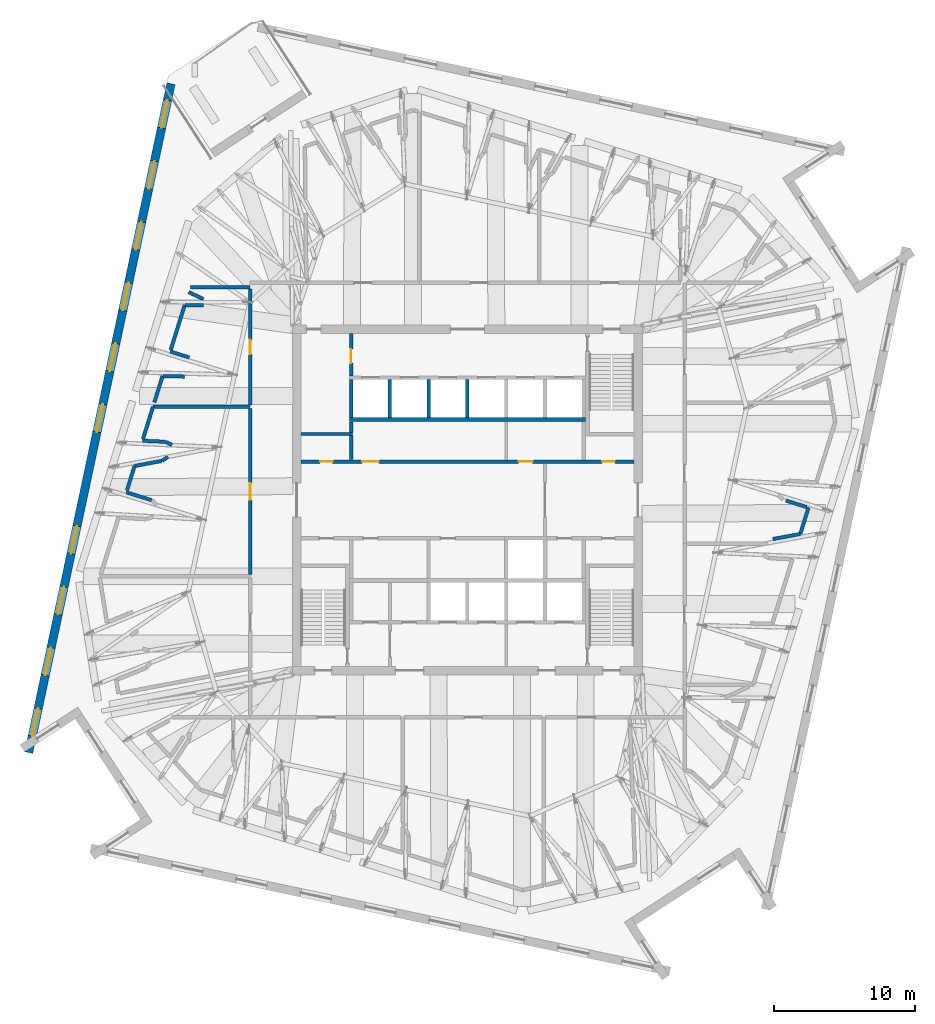
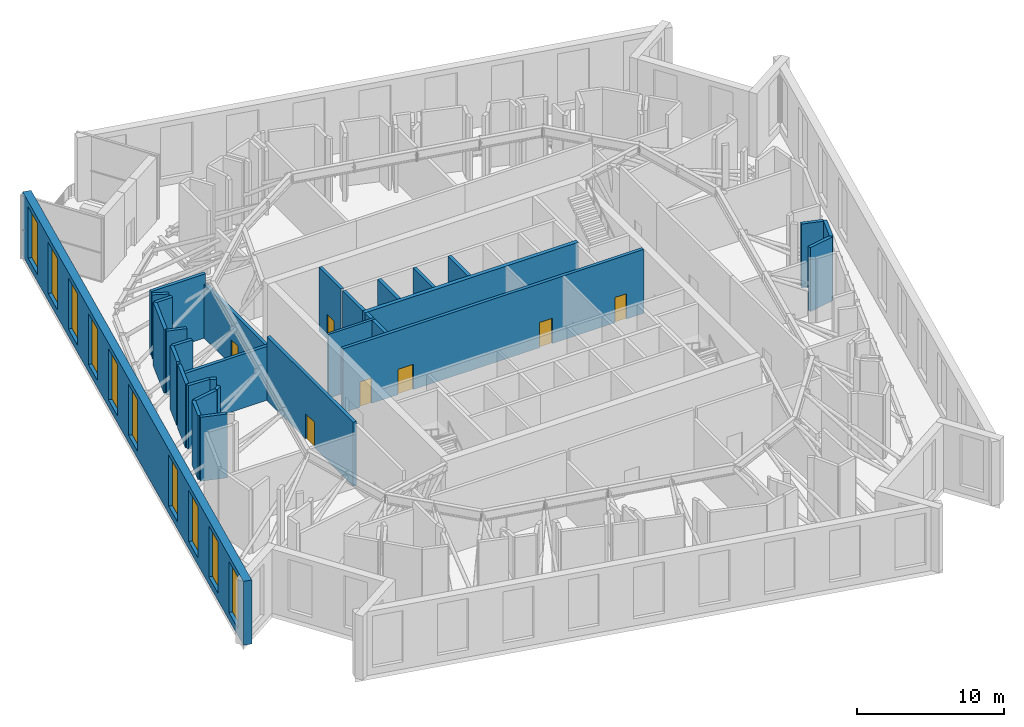
# One storey, part 10 of 19: 31 walls, 10 windows, 7 doors, 17 openings.
"""IFC4 building model written with IfcOpenShell, lengths in metres."""

from ifc_helpers import new_model, si_unit, direction, frame, frame_2d, origin, place, context, subcontext, project, spatial, rectangle, extrude, material, layer, layer_set, type_object, element, fill, save


model = new_model("IFC4")

# Units and contexts
model_context = context("Model", 3, precision=1e-05, world=origin(), true_north=direction((0.0, 1.0)))
body_context = subcontext(model_context, "Body", "Model", "MODEL_VIEW")
ifc_project = project(units=[si_unit("LENGTHUNIT", "METRE"), si_unit("AREAUNIT", "SQUARE_METRE"), si_unit("VOLUMEUNIT", "CUBIC_METRE"), si_unit("PLANEANGLEUNIT", "RADIAN"), si_unit("MASSUNIT", "GRAM", prefix="KILO")], contexts=[model_context])

# Site, building, storey
site_placement = place(None, origin())
site = spatial("IfcSite", under=ifc_project, at=site_placement, CompositionType="ELEMENT")
building_placement = place(site_placement, origin())
building = spatial("IfcBuilding", under=site, at=building_placement, Name="Dilmun Exchange Tower", CompositionType="ELEMENT")
storey_placement = place(building_placement, frame((0.0, 0.0, 344.5)))
storey = spatial("IfcBuildingStorey", under=building, at=storey_placement, Name="L82", CompositionType="ELEMENT", Elevation=344.5)

# Wall
ifc_material_1 = material(Name="Concrete C40/50", Category="concrete")
ifc_layer_1 = layer(ifc_material_1, 0.199951171875)
ifc_layer_set_1 = layer_set([ifc_layer_1], Name="Concrete C40/50")
wall_type_1 = type_object("IfcWallType", Name="Core partition wall 200", PredefinedType="PARTITIONING", material=ifc_layer_set_1)
wall_1_placement = place(storey_placement, frame((-11.794921875, 4.675048828125, 0.0), z_axis=(0.0, 0.0, 1.0), x_axis=(1.0, 0.0, 0.0)))
element("IfcWall", 1, at=wall_1_placement, inside=storey, type_object=wall_type_1, Name="L82 core partition wall 17", PredefinedType="PARTITIONING", context=body_context, shape_type="SweptSolid", body=[
    extrude(rectangle(XDim=3.64501953125, YDim=0.199951171875, at=frame_2d((1.822509765625, 0.0))), origin(), (0.0, 0.0, 1.0), 5.300048828125),
])

# Wall, openings, doors
ifc_layer_2 = layer(ifc_material_1, 0.25)
ifc_layer_set_2 = layer_set([ifc_layer_2], Name="Concrete C40/50")
wall_type_2 = type_object("IfcWallType", Name="Core partition wall 250", PredefinedType="PARTITIONING", material=ifc_layer_set_2)
wall_2_placement = place(storey_placement, frame((-11.794921875, 2.72509765625, 0.0), z_axis=(0.0, 0.0, 1.0), x_axis=(1.0, 0.0, 0.0)))
wall_2 = element("IfcWall", 2, at=wall_2_placement, inside=storey, type_object=wall_type_2, Name="L82 core partition wall 13", PredefinedType="PARTITIONING", context=body_context, shape_type="SweptSolid", body=[
    extrude(rectangle(XDim=23.58984375, YDim=0.25, at=frame_2d((11.794921875, 0.0))), origin(), (0.0, 0.0, 1.0), 5.300048828125),
])
opening_1_placement = place(wall_2_placement, frame((21.344970703125, 0.0, 0.0)))
opening_1 = element("IfcOpeningElement", 3, at=opening_1_placement, cuts=wall_2, Name="Opening CD6", PredefinedType="OPENING", context=body_context, shape_type="SweptSolid", body=[
    extrude(rectangle(XDim=0.89990234375, YDim=2.10009765625, at=frame_2d((0.449951171875, 1.050048828125))), frame((0.0, 0.135009765625, 0.0), z_axis=(0.0, -1.0, 0.0), x_axis=(1.0, 0.0, 0.0)), (0.0, 0.0, 1.0), 0.27001953125),
])
opening_2_placement = place(wall_2_placement, frame((1.344970703125, 0.0, 0.0)))
opening_2 = element("IfcOpeningElement", 4, at=opening_2_placement, cuts=wall_2, Name="Opening CD6", PredefinedType="OPENING", context=body_context, shape_type="SweptSolid", body=[
    extrude(rectangle(XDim=0.89990234375, YDim=2.10009765625, at=frame_2d((0.449951171875, 1.050048828125))), frame((0.0, 0.135009765625, 0.0), z_axis=(0.0, -1.0, 0.0), x_axis=(1.0, 0.0, 0.0)), (0.0, 0.0, 1.0), 0.27001953125),
])
opening_3_placement = place(wall_2_placement, frame((4.320068359375, 0.0, 0.0)))
opening_3 = element("IfcOpeningElement", 5, at=opening_3_placement, cuts=wall_2, Name="Opening CD3", PredefinedType="OPENING", context=body_context, shape_type="SweptSolid", body=[
    extrude(rectangle(XDim=1.199951171875, YDim=2.10009765625, at=frame_2d((0.60009765625, 1.050048828125))), frame((0.0, 0.135009765625, 0.0), z_axis=(0.0, -1.0, 0.0), x_axis=(1.0, 0.0, 0.0)), (0.0, 0.0, 1.0), 0.27001953125),
])
opening_4_placement = place(wall_2_placement, frame((15.419921875, 0.0, 0.0)))
opening_4 = element("IfcOpeningElement", 6, at=opening_4_placement, cuts=wall_2, Name="Opening CD4", PredefinedType="OPENING", context=body_context, shape_type="SweptSolid", body=[
    extrude(rectangle(XDim=1.0, YDim=2.10009765625, at=frame_2d((0.5, 1.050048828125))), frame((0.0, 0.135009765625, 0.0), z_axis=(0.0, -1.0, 0.0), x_axis=(1.0, 0.0, 0.0)), (0.0, 0.0, 1.0), 0.27001953125),
])
ifc_material_2 = material(Name="Fire-rated steel door set", Category="steel")
door_type_1 = type_object("IfcDoorType", Name="Core room door 1000x2100", OperationType="SINGLE_SWING_LEFT", PredefinedType="DOOR", material=ifc_material_2)
door_1_placement = place(opening_4_placement, origin())
door_1 = element("IfcDoor", 7, at=door_1_placement, inside=storey, type_object=door_type_1, Name="L82 door Mechanical room", OperationType="SINGLE_SWING_LEFT", OverallHeight=2.10009765625, OverallWidth=1.0, PredefinedType="DOOR", context=body_context, shape_type="SweptSolid", body=[
    extrude(rectangle(XDim=1.0, YDim=2.10009765625, at=frame_2d((0.5, 1.050048828125))), frame((0.0, 0.02490234375, 0.0), z_axis=(0.0, -1.0, 0.0), x_axis=(1.0, 0.0, 0.0)), (0.0, 0.0, 1.0), 0.050048828125),
])
fill(opening_4, door_1)
door_type_2 = type_object("IfcDoorType", Name="Core room door 900x2100", OperationType="SINGLE_SWING_LEFT", PredefinedType="DOOR", material=ifc_material_2)
door_2_placement = place(opening_1_placement, origin())
door_2 = element("IfcDoor", 8, at=door_2_placement, inside=storey, type_object=door_type_2, Name="L82 door Electrical riser", OperationType="SINGLE_SWING_LEFT", OverallHeight=2.10009765625, OverallWidth=0.89990234375, PredefinedType="DOOR", context=body_context, shape_type="SweptSolid", body=[
    extrude(rectangle(XDim=0.89990234375, YDim=2.10009765625, at=frame_2d((0.449951171875, 1.050048828125))), frame((0.0, 0.02490234375, 0.0), z_axis=(0.0, -1.0, 0.0), x_axis=(1.0, 0.0, 0.0)), (0.0, 0.0, 1.0), 0.050048828125),
])
fill(opening_1, door_2)
door_3_placement = place(opening_2_placement, origin())
door_3 = element("IfcDoor", 9, at=door_3_placement, inside=storey, type_object=door_type_2, Name="L82 door Plumbing riser", OperationType="SINGLE_SWING_LEFT", OverallHeight=2.10009765625, OverallWidth=0.89990234375, PredefinedType="DOOR", context=body_context, shape_type="SweptSolid", body=[
    extrude(rectangle(XDim=0.89990234375, YDim=2.10009765625, at=frame_2d((0.449951171875, 1.050048828125))), frame((0.0, 0.02490234375, 0.0), z_axis=(0.0, -1.0, 0.0), x_axis=(1.0, 0.0, 0.0)), (0.0, 0.0, 1.0), 0.050048828125),
])
fill(opening_2, door_3)
door_type_3 = type_object("IfcDoorType", Name="Stair exit door 1200x2100", OperationType="SINGLE_SWING_LEFT", PredefinedType="DOOR", material=ifc_material_2)
door_4_placement = place(opening_3_placement, origin())
door_4 = element("IfcDoor", 10, at=door_4_placement, inside=storey, type_object=door_type_3, Name="L82 door Quiet working room", OperationType="SINGLE_SWING_LEFT", OverallHeight=2.10009765625, OverallWidth=1.199951171875, PredefinedType="DOOR", context=body_context, shape_type="SweptSolid", body=[
    extrude(rectangle(XDim=1.199951171875, YDim=2.10009765625, at=frame_2d((0.60009765625, 1.050048828125))), frame((0.0, 0.02490234375, 0.0), z_axis=(0.0, -1.0, 0.0), x_axis=(1.0, 0.0, 0.0)), (0.0, 0.0, 1.0), 0.050048828125),
])
fill(opening_3, door_4)

# Walls
wall_3_placement = place(storey_placement, frame((-8.25, 2.85498046875, 0.0), z_axis=(0.0, 0.0, 1.0), x_axis=(0.0, 1.0, 0.0)))
element("IfcWall", 11, at=wall_3_placement, inside=storey, type_object=wall_type_2, Name="L82 core partition wall 14", PredefinedType="PARTITIONING", context=body_context, shape_type="SweptSolid", body=[
    extrude(rectangle(XDim=1.715087890625, YDim=0.25, at=frame_2d((0.857421875, 0.0))), origin(), (0.0, 0.0, 1.0), 5.300048828125),
])
wall_4_placement = place(storey_placement, frame((-8.25, 4.780029296875, 0.0), z_axis=(0.0, 0.0, 1.0), x_axis=(0.0, 1.0, 0.0)))
element("IfcWall", 12, at=wall_4_placement, inside=storey, type_object=wall_type_2, Name="L82 core partition wall 18", PredefinedType="PARTITIONING", context=body_context, shape_type="SweptSolid", body=[
    extrude(rectangle(XDim=0.764892578125, YDim=0.25, at=frame_2d((0.38232421875, 0.0))), origin(), (0.0, 0.0, 1.0), 5.300048828125),
])

# Wall, opening, door
wall_5_placement = place(storey_placement, frame((-8.25, 8.804931640625, 0.0), z_axis=(0.0, 0.0, 1.0), x_axis=(0.0, 1.0, 0.0)))
wall_5 = element("IfcWall", 13, at=wall_5_placement, inside=storey, type_object=wall_type_2, Name="L82 core partition wall 19", PredefinedType="PARTITIONING", context=body_context, shape_type="SweptSolid", body=[
    extrude(rectangle(XDim=2.989990234375, YDim=0.25, at=frame_2d((1.4951171875, 0.0))), origin(), (0.0, 0.0, 1.0), 5.300048828125),
])
opening_5_placement = place(wall_5_placement, frame((0.89501953125, 0.0, 0.0)))
opening_5 = element("IfcOpeningElement", 14, at=opening_5_placement, cuts=wall_5, Name="Opening CD4", PredefinedType="OPENING", context=body_context, shape_type="SweptSolid", body=[
    extrude(rectangle(XDim=1.0, YDim=2.10009765625, at=frame_2d((0.5, 1.050048828125))), frame((0.0, 0.135009765625, 0.0), z_axis=(0.0, -1.0, 0.0), x_axis=(1.0, 0.0, 0.0)), (0.0, 0.0, 1.0), 0.27001953125),
])
door_5_placement = place(opening_5_placement, origin())
door_5 = element("IfcDoor", 15, at=door_5_placement, inside=storey, type_object=door_type_1, Name="L82 door Facilities office", OperationType="SINGLE_SWING_LEFT", OverallHeight=2.10009765625, OverallWidth=1.0, PredefinedType="DOOR", context=body_context, shape_type="SweptSolid", body=[
    extrude(rectangle(XDim=1.0, YDim=2.10009765625, at=frame_2d((0.5, 1.050048828125))), frame((0.0, 0.02490234375, 0.0), z_axis=(0.0, -1.0, 0.0), x_axis=(1.0, 0.0, 0.0)), (0.0, 0.0, 1.0), 0.050048828125),
])
fill(opening_5, door_5)

# Walls
ifc_layer_3 = layer(ifc_material_1, 0.300048828125)
ifc_layer_set_3 = layer_set([ifc_layer_3], Name="Concrete C40/50")
wall_type_3 = type_object("IfcWallType", Name="Lift shaft shared wall 300", PredefinedType="SOLIDWALL", material=ifc_layer_set_3)
wall_6_placement = place(storey_placement, frame((-8.375, 5.699951171875, 0.0), z_axis=(0.0, 0.0, 1.0), x_axis=(1.0, 0.0, 0.0)))
element("IfcWall", 16, at=wall_6_placement, inside=storey, type_object=wall_type_3, Name="L82 lift shaft rear wall N", PredefinedType="SOLIDWALL", context=body_context, shape_type="SweptSolid", body=[
    extrude(rectangle(XDim=16.75, YDim=0.300048828125, at=frame_2d((8.375, 0.0))), origin(), (0.0, 0.0, 1.0), 5.300048828125),
])
ifc_layer_4 = layer(ifc_material_1, 0.25)
ifc_layer_set_4 = layer_set([ifc_layer_4], Name="Concrete C40/50")
wall_type_4 = type_object("IfcWallType", Name="Lift shaft wall 250", PredefinedType="SOLIDWALL", material=ifc_layer_set_4)
for number, where, z_axis, x_axis, name in (
    (17, (-8.25, 5.85009765625, 0.0), (0.0, 0.0, 1.0), (0.0, 1.0, 0.0), "L82 lift shaft divider N20"),
    (18, (-5.5, 5.85009765625, 0.0), (0.0, 0.0, 1.0), (0.0, 1.0, 0.0), "L82 lift shaft divider N21"),
    (19, (-2.75, 5.85009765625, 0.0), (0.0, 0.0, 1.0), (0.0, 1.0, 0.0), "L82 lift shaft divider N22"),
    (20, (0.0, 5.85009765625, 0.0), (0.0, 0.0, 1.0), (0.0, 1.0, 0.0), "L82 lift shaft divider N23"),
):
    element("IfcWall", number, at=place(storey_placement, frame(where, z_axis=z_axis, x_axis=x_axis)), inside=storey, type_object=wall_type_4, Name=name, PredefinedType="SOLIDWALL", context=body_context, shape_type="SweptSolid", body=[
        extrude(rectangle(XDim=2.699951171875, YDim=0.25, at=frame_2d((1.35009765625, 0.0))), origin(), (0.0, 0.0, 1.0), 5.300048828125),
    ])
ifc_material_3 = material(Name="Concrete C32/40", Category="concrete")
ifc_layer_5 = layer(ifc_material_3, 0.25)
ifc_layer_set_5 = layer_set([ifc_layer_5], Name="Concrete C32/40")
wall_type_5 = type_object("IfcWallType", Name="Plant room wall 250", PredefinedType="PARTITIONING", material=ifc_layer_set_5)
wall_7_placement = place(storey_placement, frame((21.656982421875, -2.771484375, 0.0), z_axis=(0.0, 0.0, 1.0), x_axis=(0.98324759297, 0.182274987092, 0.0)))
element("IfcWall", 21, at=wall_7_placement, inside=storey, type_object=wall_type_5, Name="L82 plant room wall 90", PredefinedType="PARTITIONING", context=body_context, shape_type="SweptSolid", body=[
    extrude(rectangle(XDim=1.97705078125, YDim=0.25, at=frame_2d((0.988525390625, 0.0))), origin(), (0.0, 0.0, 1.0), 5.300048828125),
])
wall_8_placement = place(storey_placement, frame((23.60400390625, -2.40087890625, 0.0), z_axis=(0.0, 0.0, 1.0), x_axis=(0.297539238937, 0.954709590029, 0.0)))
element("IfcWall", 22, at=wall_8_placement, inside=storey, type_object=wall_type_5, Name="L82 plant room wall 94", PredefinedType="PARTITIONING", context=body_context, shape_type="SweptSolid", body=[
    extrude(rectangle(XDim=1.9462890625, YDim=0.25, at=frame_2d((0.97314453125, 0.0))), origin(), (0.0, 0.0, 1.0), 5.300048828125),
])
wall_9_placement = place(storey_placement, frame((22.5810546875, -0.043701171875, 0.0), z_axis=(0.0, 0.0, 1.0), x_axis=(0.95474338111, -0.297430792331, 0.0)))
element("IfcWall", 23, at=wall_9_placement, inside=storey, type_object=wall_type_5, Name="L82 plant room wall 96", PredefinedType="PARTITIONING", context=body_context, shape_type="SweptSolid", body=[
    extrude(rectangle(XDim=1.548095703125, YDim=0.25, at=frame_2d((0.77392578125, 0.0))), origin(), (0.0, 0.0, 1.0), 5.300048828125),
])
wall_10_placement = place(storey_placement, frame((-24.18310546875, 0.542724609375, 0.0), z_axis=(0.0, 0.0, 1.0), x_axis=(0.954723438936, -0.29749479852, 0.0)))
element("IfcWall", 24, at=wall_10_placement, inside=storey, type_object=wall_type_5, Name="L82 plant room wall 97", PredefinedType="PARTITIONING", context=body_context, shape_type="SweptSolid", body=[
    extrude(rectangle(XDim=1.87109375, YDim=0.25, at=frame_2d((0.935546875, 0.0))), origin(), (0.0, 0.0, 1.0), 5.300048828125),
])
wall_11_placement = place(storey_placement, frame((-24.144287109375, 0.6669921875, 0.0), z_axis=(0.0, 0.0, 1.0), x_axis=(0.297483511213, 0.954726956023, 0.0)))
element("IfcWall", 25, at=wall_11_placement, inside=storey, type_object=wall_type_5, Name="L82 plant room wall 99", PredefinedType="PARTITIONING", context=body_context, shape_type="SweptSolid", body=[
    extrude(rectangle(XDim=1.826904296875, YDim=0.25, at=frame_2d((0.91357421875, 0.0))), origin(), (0.0, 0.0, 1.0), 5.300048828125),
])
wall_12_placement = place(storey_placement, frame((-23.59033203125, 2.4130859375, 0.0), z_axis=(0.0, 0.0, 1.0), x_axis=(0.983248230193, 0.182271549681, 0.0)))
element("IfcWall", 26, at=wall_12_placement, inside=storey, type_object=wall_type_5, Name="L82 plant room wall 102", PredefinedType="PARTITIONING", context=body_context, shape_type="SweptSolid", body=[
    extrude(rectangle(XDim=1.96630859375, YDim=0.25, at=frame_2d((0.983154296875, 0.0))), origin(), (0.0, 0.0, 1.0), 5.300048828125),
])
wall_13_placement = place(storey_placement, frame((-21.6298828125, 2.78271484375, 0.0), z_axis=(0.0, 0.0, 1.0), x_axis=(0.81400616729, 0.580856229728, 0.0)))
element("IfcWall", 27, at=wall_13_placement, inside=storey, type_object=wall_type_5, Name="L82 plant room wall 103", PredefinedType="PARTITIONING", context=body_context, shape_type="SweptSolid", body=[
    extrude(rectangle(XDim=0.48388671875, YDim=0.25, at=frame_2d((0.241943359375, 0.0))), origin(), (0.0, 0.0, 1.0), 5.300048828125),
])
wall_14_placement = place(storey_placement, frame((-21.37109375, 4.119140625, 0.0), z_axis=(0.0, 0.0, 1.0), x_axis=(0.886728784224, -0.462290020688, 0.0)))
element("IfcWall", 28, at=wall_14_placement, inside=storey, type_object=wall_type_5, Name="L82 plant room wall 104", PredefinedType="PARTITIONING", context=body_context, shape_type="SweptSolid", body=[
    extrude(rectangle(XDim=0.483642578125, YDim=0.25, at=frame_2d((0.24169921875, 0.0))), origin(), (0.0, 0.0, 1.0), 5.300048828125),
])
wall_15_placement = place(storey_placement, frame((-23.043701171875, 4.199462890625, 0.0), z_axis=(0.0, 0.0, 1.0), x_axis=(0.999022559739, -0.04420322536, 0.0)))
element("IfcWall", 29, at=wall_15_placement, inside=storey, type_object=wall_type_5, Name="L82 plant room wall 105", PredefinedType="PARTITIONING", context=body_context, shape_type="SweptSolid", body=[
    extrude(rectangle(XDim=1.64599609375, YDim=0.25, at=frame_2d((0.822998046875, 0.0))), origin(), (0.0, 0.0, 1.0), 5.300048828125),
])
wall_16_placement = place(storey_placement, frame((-23.003662109375, 4.327880859375, 0.0), z_axis=(0.0, 0.0, 1.0), x_axis=(0.297486364479, 0.954726066968, 0.0)))
element("IfcWall", 30, at=wall_16_placement, inside=storey, type_object=wall_type_5, Name="L82 plant room wall 106", PredefinedType="PARTITIONING", context=body_context, shape_type="SweptSolid", body=[
    extrude(rectangle(XDim=2.3798828125, YDim=0.25, at=frame_2d((1.18994140625, 0.0))), origin(), (0.0, 0.0, 1.0), 5.300048828125),
])
wall_17_placement = place(storey_placement, frame((-22.27880859375, 6.60009765625, 0.0), z_axis=(0.0, 0.0, 1.0), x_axis=(1.0, 0.0, 0.0)))
element("IfcWall", 31, at=wall_17_placement, inside=storey, type_object=wall_type_5, Name="L82 plant room wall 108", PredefinedType="PARTITIONING", context=body_context, shape_type="SweptSolid", body=[
    extrude(rectangle(XDim=6.87890625, YDim=0.25, at=frame_2d((3.439453125, 0.0))), origin(), (0.0, 0.0, 1.0), 4.466064453125),
])

# Wall, opening, door
wall_18_placement = place(storey_placement, frame((-15.39990234375, -5.27001953125, 0.0), z_axis=(0.0, 0.0, 1.0), x_axis=(0.0, 1.0, 0.0)))
wall_18 = element("IfcWall", 32, at=wall_18_placement, inside=storey, type_object=wall_type_5, Name="L82 plant room wall 109", PredefinedType="PARTITIONING", context=body_context, shape_type="SweptSolid", body=[
    extrude(rectangle(XDim=11.739990234375, YDim=0.25, at=frame_2d((5.8701171875, 0.0))), origin(), (0.0, 0.0, 1.0), 5.300048828125),
])
opening_6_placement = place(wall_18_placement, frame((5.27001953125, 0.0, 0.0)))
opening_6 = element("IfcOpeningElement", 33, at=opening_6_placement, cuts=wall_18, Name="Opening PD2", PredefinedType="OPENING", context=body_context, shape_type="SweptSolid", body=[
    extrude(rectangle(XDim=1.199951171875, YDim=2.10009765625, at=frame_2d((0.60009765625, 1.050048828125))), frame((0.0, 0.135009765625, 0.0), z_axis=(0.0, -1.0, 0.0), x_axis=(1.0, 0.0, 0.0)), (0.0, 0.0, 1.0), 0.27001953125),
])
door_type_4 = type_object("IfcDoorType", Name="Plant room door 1200x2100", OperationType="SINGLE_SWING_LEFT", PredefinedType="DOOR", material=ifc_material_2)
door_6_placement = place(opening_6_placement, origin())
door_6 = element("IfcDoor", 34, at=door_6_placement, inside=storey, type_object=door_type_4, Name="L82 door AHU room", OperationType="SINGLE_SWING_LEFT", OverallHeight=2.10009765625, OverallWidth=1.199951171875, PredefinedType="DOOR", context=body_context, shape_type="SweptSolid", body=[
    extrude(rectangle(XDim=1.199951171875, YDim=2.10009765625, at=frame_2d((0.60009765625, 1.050048828125))), frame((0.0, 0.02490234375, 0.0), z_axis=(0.0, -1.0, 0.0), x_axis=(1.0, 0.0, 0.0)), (0.0, 0.0, 1.0), 0.050048828125),
])
fill(opening_6, door_6)

# Walls
wall_19_placement = place(storey_placement, frame((-22.197021484375, 6.916748046875, 0.0), z_axis=(0.0, 0.0, 1.0), x_axis=(0.297510044544, 0.954718688094, 0.0)))
element("IfcWall", 35, at=wall_19_placement, inside=storey, type_object=wall_type_5, Name="L82 plant room wall 113", PredefinedType="PARTITIONING", context=body_context, shape_type="SweptSolid", body=[
    extrude(rectangle(XDim=1.962890625, YDim=0.25, at=frame_2d((0.9814453125, 0.0))), origin(), (0.0, 0.0, 1.0), 5.300048828125),
])
wall_20_placement = place(storey_placement, frame((-21.5947265625, 8.790283203125, 0.0), z_axis=(0.0, 0.0, 1.0), x_axis=(0.999678354561, -0.025361140016, 0.0)))
element("IfcWall", 36, at=wall_20_placement, inside=storey, type_object=wall_type_5, Name="L82 plant room wall 116", PredefinedType="PARTITIONING", context=body_context, shape_type="SweptSolid", body=[
    extrude(rectangle(XDim=1.52099609375, YDim=0.25, at=frame_2d((0.760498046875, 0.0))), origin(), (0.0, 0.0, 1.0), 5.300048828125),
])
wall_21_placement = place(storey_placement, frame((-21.07275390625, 10.5244140625, 0.0), z_axis=(0.0, 0.0, 1.0), x_axis=(0.954718077895, -0.297512002683, 0.0)))
element("IfcWall", 37, at=wall_21_placement, inside=storey, type_object=wall_type_5, Name="L82 plant room wall 118", PredefinedType="PARTITIONING", context=body_context, shape_type="SweptSolid", body=[
    extrude(rectangle(XDim=1.42138671875, YDim=0.25, at=frame_2d((0.710693359375, 0.0))), origin(), (0.0, 0.0, 1.0), 5.300048828125),
])
wall_22_placement = place(storey_placement, frame((-21.0341796875, 10.6484375, 0.0), z_axis=(0.0, 0.0, 1.0), x_axis=(0.297457376407, 0.954735098978, 0.0)))
element("IfcWall", 38, at=wall_22_placement, inside=storey, type_object=wall_type_5, Name="L82 plant room wall 119", PredefinedType="PARTITIONING", context=body_context, shape_type="SweptSolid", body=[
    extrude(rectangle(XDim=3.31591796875, YDim=0.25, at=frame_2d((1.657958984375, 0.0))), origin(), (0.0, 0.0, 1.0), 5.300048828125),
])
wall_23_placement = place(storey_placement, frame((-20.03076171875, 13.81396484375, 0.0), z_axis=(0.0, 0.0, 1.0), x_axis=(0.999992965307, -0.003750911348, 0.0)))
element("IfcWall", 39, at=wall_23_placement, inside=storey, type_object=wall_type_5, Name="L82 plant room wall 126", PredefinedType="PARTITIONING", context=body_context, shape_type="SweptSolid", body=[
    extrude(rectangle(XDim=1.3017578125, YDim=0.25, at=frame_2d((0.65087890625, 0.0))), origin(), (0.0, 0.0, 1.0), 5.300048828125),
])
wall_24_placement = place(storey_placement, frame((-19.760498046875, 14.735595703125, 0.0), z_axis=(0.0, 0.0, 1.0), x_axis=(0.904675376638, -0.426101470198, 0.0)))
element("IfcWall", 40, at=wall_24_placement, inside=storey, type_object=wall_type_5, Name="L82 plant room wall 127", PredefinedType="PARTITIONING", context=body_context, shape_type="SweptSolid", body=[
    extrude(rectangle(XDim=1.158447265625, YDim=0.25, at=frame_2d((0.5791015625, 0.0))), origin(), (0.0, 0.0, 1.0), 5.300048828125),
])
wall_25_placement = place(storey_placement, frame((-19.647216796875, 15.10009765625, 0.0), z_axis=(0.0, 0.0, 1.0), x_axis=(1.0, 0.0, 0.0)))
element("IfcWall", 41, at=wall_25_placement, inside=storey, type_object=wall_type_5, Name="L82 plant room wall 128", PredefinedType="PARTITIONING", context=body_context, shape_type="SweptSolid", body=[
    extrude(rectangle(XDim=4.247314453125, YDim=0.25, at=frame_2d((2.12353515625, 0.0))), origin(), (0.0, 0.0, 1.0), 5.300048828125),
])

# Wall, opening, door
wall_26_placement = place(storey_placement, frame((-15.39990234375, 6.72998046875, 0.0), z_axis=(0.0, 0.0, 1.0), x_axis=(0.0, 1.0, 0.0)))
wall_26 = element("IfcWall", 42, at=wall_26_placement, inside=storey, type_object=wall_type_5, Name="L82 plant room wall 129", PredefinedType="PARTITIONING", context=body_context, shape_type="SweptSolid", body=[
    extrude(rectangle(XDim=8.239990234375, YDim=0.25, at=frame_2d((4.1201171875, 0.0))), origin(), (0.0, 0.0, 1.0), 4.466064453125),
])
opening_7_placement = place(wall_26_placement, frame((3.6201171875, 0.0, 0.0)))
opening_7 = element("IfcOpeningElement", 43, at=opening_7_placement, cuts=wall_26, Name="Opening PD1", PredefinedType="OPENING", context=body_context, shape_type="SweptSolid", body=[
    extrude(rectangle(XDim=1.0, YDim=2.10009765625, at=frame_2d((0.5, 1.050048828125))), frame((0.0, 0.135009765625, 0.0), z_axis=(0.0, -1.0, 0.0), x_axis=(1.0, 0.0, 0.0)), (0.0, 0.0, 1.0), 0.27001953125),
])
door_type_5 = type_object("IfcDoorType", Name="Plant room door 1000x2100", OperationType="SINGLE_SWING_LEFT", PredefinedType="DOOR", material=ifc_material_2)
door_7_placement = place(opening_7_placement, origin())
door_7 = element("IfcDoor", 44, at=door_7_placement, inside=storey, type_object=door_type_5, Name="L82 door Plant BMS control room", OperationType="SINGLE_SWING_RIGHT", OverallHeight=2.10009765625, OverallWidth=1.0, PredefinedType="DOOR", context=body_context, shape_type="SweptSolid", body=[
    extrude(rectangle(XDim=1.0, YDim=2.10009765625, at=frame_2d((0.5, 1.050048828125))), frame((0.0, 0.02490234375, 0.0), z_axis=(0.0, -1.0, 0.0), x_axis=(1.0, 0.0, 0.0)), (0.0, 0.0, 1.0), 0.050048828125),
])
fill(opening_7, door_7)

# Wall, openings, windows
ifc_material_4 = material(Name="Precast concrete C50/60", Category="concrete")
ifc_layer_6 = layer(ifc_material_4, 0.60009765625)
ifc_layer_set_6 = layer_set([ifc_layer_6], Name="Precast concrete C50/60")
wall_type_6 = type_object("IfcWallType", Name="Precast stone-clad wall 600", PredefinedType="STANDARD", material=ifc_layer_set_6)
wall_27_placement = place(storey_placement, frame((-21.022705078125, 29.515869140625, 0.0), z_axis=(0.0, 0.0, 1.0), x_axis=(-0.207911686457, -0.978147601661, 0.0)))
wall_27 = element("IfcWall", 45, at=wall_27_placement, inside=storey, type_object=wall_type_6, Name="Facade wall L82-03", PredefinedType="STANDARD", context=body_context, shape_type="SweptSolid", body=[
    extrude(rectangle(XDim=48.489501953125, YDim=0.60009765625, at=frame_2d((24.24462890625, 0.0))), origin(), (0.0, 0.0, 1.0), 5.300048828125),
])
opening_8_placement = place(wall_27_placement, frame((1.2041015625, 0.0, 0.60009765625)))
opening_8 = element("IfcOpeningElement", 46, at=opening_8_placement, cuts=wall_27, Name="Opening LV200-425", PredefinedType="OPENING", context=body_context, shape_type="SweptSolid", body=[
    extrude(rectangle(XDim=2.0, YDim=4.25, at=frame_2d((1.0, 2.125))), frame((0.0, 0.31005859375, 0.0), z_axis=(0.0, -1.0, 0.0), x_axis=(1.0, 0.0, 0.0)), (0.0, 0.0, 1.0), 0.6201171875),
])
opening_9_placement = place(wall_27_placement, frame((5.6123046875, 0.0, 0.60009765625)))
opening_9 = element("IfcOpeningElement", 47, at=opening_9_placement, cuts=wall_27, Name="Opening LV200-425", PredefinedType="OPENING", context=body_context, shape_type="SweptSolid", body=[
    extrude(rectangle(XDim=2.0, YDim=4.25, at=frame_2d((1.0, 2.125))), frame((0.0, 0.31005859375, 0.0), z_axis=(0.0, -1.0, 0.0), x_axis=(1.0, 0.0, 0.0)), (0.0, 0.0, 1.0), 0.6201171875),
])
opening_10_placement = place(wall_27_placement, frame((10.0205078125, 0.0, 0.60009765625)))
opening_10 = element("IfcOpeningElement", 48, at=opening_10_placement, cuts=wall_27, Name="Opening LV200-425", PredefinedType="OPENING", context=body_context, shape_type="SweptSolid", body=[
    extrude(rectangle(XDim=2.0, YDim=4.25, at=frame_2d((1.0, 2.125))), frame((0.0, 0.31005859375, 0.0), z_axis=(0.0, -1.0, 0.0), x_axis=(1.0, 0.0, 0.0)), (0.0, 0.0, 1.0), 0.6201171875),
])
opening_11_placement = place(wall_27_placement, frame((14.428466796875, 0.0, 0.60009765625)))
opening_11 = element("IfcOpeningElement", 49, at=opening_11_placement, cuts=wall_27, Name="Opening LV200-425", PredefinedType="OPENING", context=body_context, shape_type="SweptSolid", body=[
    extrude(rectangle(XDim=2.0, YDim=4.25, at=frame_2d((1.0, 2.125))), frame((0.0, 0.31005859375, 0.0), z_axis=(0.0, -1.0, 0.0), x_axis=(1.0, 0.0, 0.0)), (0.0, 0.0, 1.0), 0.6201171875),
])
opening_12_placement = place(wall_27_placement, frame((18.836669921875, 0.0, 0.60009765625)))
opening_12 = element("IfcOpeningElement", 50, at=opening_12_placement, cuts=wall_27, Name="Opening LV200-425", PredefinedType="OPENING", context=body_context, shape_type="SweptSolid", body=[
    extrude(rectangle(XDim=2.0, YDim=4.25, at=frame_2d((1.0, 2.125))), frame((0.0, 0.31005859375, 0.0), z_axis=(0.0, -1.0, 0.0), x_axis=(1.0, 0.0, 0.0)), (0.0, 0.0, 1.0), 0.6201171875),
])
opening_13_placement = place(wall_27_placement, frame((23.244873046875, 0.0, 0.60009765625)))
opening_13 = element("IfcOpeningElement", 51, at=opening_13_placement, cuts=wall_27, Name="Opening LV200-425", PredefinedType="OPENING", context=body_context, shape_type="SweptSolid", body=[
    extrude(rectangle(XDim=2.0, YDim=4.25, at=frame_2d((1.0, 2.125))), frame((0.0, 0.31005859375, 0.0), z_axis=(0.0, -1.0, 0.0), x_axis=(1.0, 0.0, 0.0)), (0.0, 0.0, 1.0), 0.6201171875),
])
opening_14_placement = place(wall_27_placement, frame((32.06103515625, 0.0, 0.60009765625)))
opening_14 = element("IfcOpeningElement", 52, at=opening_14_placement, cuts=wall_27, Name="Opening LV200-425", PredefinedType="OPENING", context=body_context, shape_type="SweptSolid", body=[
    extrude(rectangle(XDim=2.0, YDim=4.25, at=frame_2d((1.0, 2.125))), frame((0.0, 0.31005859375, 0.0), z_axis=(0.0, -1.0, 0.0), x_axis=(1.0, 0.0, 0.0)), (0.0, 0.0, 1.0), 0.6201171875),
])
opening_15_placement = place(wall_27_placement, frame((36.46923828125, 0.0, 0.60009765625)))
opening_15 = element("IfcOpeningElement", 53, at=opening_15_placement, cuts=wall_27, Name="Opening LV200-425", PredefinedType="OPENING", context=body_context, shape_type="SweptSolid", body=[
    extrude(rectangle(XDim=2.0, YDim=4.25, at=frame_2d((1.0, 2.125))), frame((0.0, 0.31005859375, 0.0), z_axis=(0.0, -1.0, 0.0), x_axis=(1.0, 0.0, 0.0)), (0.0, 0.0, 1.0), 0.6201171875),
])
opening_16_placement = place(wall_27_placement, frame((40.87744140625, 0.0, 0.60009765625)))
opening_16 = element("IfcOpeningElement", 54, at=opening_16_placement, cuts=wall_27, Name="Opening LV200-425", PredefinedType="OPENING", context=body_context, shape_type="SweptSolid", body=[
    extrude(rectangle(XDim=2.0, YDim=4.25, at=frame_2d((1.0, 2.125))), frame((0.0, 0.31005859375, 0.0), z_axis=(0.0, -1.0, 0.0), x_axis=(1.0, 0.0, 0.0)), (0.0, 0.0, 1.0), 0.6201171875),
])
opening_17_placement = place(wall_27_placement, frame((45.285400390625, 0.0, 0.60009765625)))
opening_17 = element("IfcOpeningElement", 55, at=opening_17_placement, cuts=wall_27, Name="Opening LV200-425", PredefinedType="OPENING", context=body_context, shape_type="SweptSolid", body=[
    extrude(rectangle(XDim=2.0, YDim=4.25, at=frame_2d((1.0, 2.125))), frame((0.0, 0.31005859375, 0.0), z_axis=(0.0, -1.0, 0.0), x_axis=(1.0, 0.0, 0.0)), (0.0, 0.0, 1.0), 0.6201171875),
])
ifc_material_5 = material(Name="Anodised aluminium louvre blades with sand trap", Category="aluminium")
window_type = type_object("IfcWindowType", Name="Plant louvre 2000 x 4250", PartitioningType="SINGLE_PANEL", PredefinedType="USERDEFINED", material=ifc_material_5)
window_1_placement = place(opening_8_placement, origin())
window_1 = element("IfcWindow", 56, at=window_1_placement, inside=storey, type_object=window_type, Name="Plant louvre 4.1", ObjectType="LOUVRE", OverallHeight=4.25, OverallWidth=2.0, PartitioningType="SINGLE_PANEL", PredefinedType="USERDEFINED", context=body_context, shape_type="SweptSolid", body=[
    extrude(rectangle(XDim=2.0, YDim=4.25, at=frame_2d((1.0, 2.125))), frame((0.0, 0.030029296875, 0.0), z_axis=(0.0, -1.0, 0.0), x_axis=(1.0, 0.0, 0.0)), (0.0, 0.0, 1.0), 0.06005859375),
])
fill(opening_8, window_1)
window_2_placement = place(opening_9_placement, origin())
window_2 = element("IfcWindow", 57, at=window_2_placement, inside=storey, type_object=window_type, Name="Plant louvre 4.2", ObjectType="LOUVRE", OverallHeight=4.25, OverallWidth=2.0, PartitioningType="SINGLE_PANEL", PredefinedType="USERDEFINED", context=body_context, shape_type="SweptSolid", body=[
    extrude(rectangle(XDim=2.0, YDim=4.25, at=frame_2d((1.0, 2.125))), frame((0.0, 0.030029296875, 0.0), z_axis=(0.0, -1.0, 0.0), x_axis=(1.0, 0.0, 0.0)), (0.0, 0.0, 1.0), 0.06005859375),
])
fill(opening_9, window_2)
window_3_placement = place(opening_10_placement, origin())
window_3 = element("IfcWindow", 58, at=window_3_placement, inside=storey, type_object=window_type, Name="Plant louvre 4.3", ObjectType="LOUVRE", OverallHeight=4.25, OverallWidth=2.0, PartitioningType="SINGLE_PANEL", PredefinedType="USERDEFINED", context=body_context, shape_type="SweptSolid", body=[
    extrude(rectangle(XDim=2.0, YDim=4.25, at=frame_2d((1.0, 2.125))), frame((0.0, 0.030029296875, 0.0), z_axis=(0.0, -1.0, 0.0), x_axis=(1.0, 0.0, 0.0)), (0.0, 0.0, 1.0), 0.06005859375),
])
fill(opening_10, window_3)
window_4_placement = place(opening_11_placement, origin())
window_4 = element("IfcWindow", 59, at=window_4_placement, inside=storey, type_object=window_type, Name="Plant louvre 4.4", ObjectType="LOUVRE", OverallHeight=4.25, OverallWidth=2.0, PartitioningType="SINGLE_PANEL", PredefinedType="USERDEFINED", context=body_context, shape_type="SweptSolid", body=[
    extrude(rectangle(XDim=2.0, YDim=4.25, at=frame_2d((1.0, 2.125))), frame((0.0, 0.030029296875, 0.0), z_axis=(0.0, -1.0, 0.0), x_axis=(1.0, 0.0, 0.0)), (0.0, 0.0, 1.0), 0.06005859375),
])
fill(opening_11, window_4)
window_5_placement = place(opening_12_placement, origin())
window_5 = element("IfcWindow", 60, at=window_5_placement, inside=storey, type_object=window_type, Name="Plant louvre 4.5", ObjectType="LOUVRE", OverallHeight=4.25, OverallWidth=2.0, PartitioningType="SINGLE_PANEL", PredefinedType="USERDEFINED", context=body_context, shape_type="SweptSolid", body=[
    extrude(rectangle(XDim=2.0, YDim=4.25, at=frame_2d((1.0, 2.125))), frame((0.0, 0.030029296875, 0.0), z_axis=(0.0, -1.0, 0.0), x_axis=(1.0, 0.0, 0.0)), (0.0, 0.0, 1.0), 0.06005859375),
])
fill(opening_12, window_5)
window_6_placement = place(opening_13_placement, origin())
window_6 = element("IfcWindow", 61, at=window_6_placement, inside=storey, type_object=window_type, Name="Plant louvre 4.6", ObjectType="LOUVRE", OverallHeight=4.25, OverallWidth=2.0, PartitioningType="SINGLE_PANEL", PredefinedType="USERDEFINED", context=body_context, shape_type="SweptSolid", body=[
    extrude(rectangle(XDim=2.0, YDim=4.25, at=frame_2d((1.0, 2.125))), frame((0.0, 0.030029296875, 0.0), z_axis=(0.0, -1.0, 0.0), x_axis=(1.0, 0.0, 0.0)), (0.0, 0.0, 1.0), 0.06005859375),
])
fill(opening_13, window_6)
window_7_placement = place(opening_14_placement, origin())
window_7 = element("IfcWindow", 62, at=window_7_placement, inside=storey, type_object=window_type, Name="Plant louvre 4.8", ObjectType="LOUVRE", OverallHeight=4.25, OverallWidth=2.0, PartitioningType="SINGLE_PANEL", PredefinedType="USERDEFINED", context=body_context, shape_type="SweptSolid", body=[
    extrude(rectangle(XDim=2.0, YDim=4.25, at=frame_2d((1.0, 2.125))), frame((0.0, 0.030029296875, 0.0), z_axis=(0.0, -1.0, 0.0), x_axis=(1.0, 0.0, 0.0)), (0.0, 0.0, 1.0), 0.06005859375),
])
fill(opening_14, window_7)
window_8_placement = place(opening_15_placement, origin())
window_8 = element("IfcWindow", 63, at=window_8_placement, inside=storey, type_object=window_type, Name="Plant louvre 4.9", ObjectType="LOUVRE", OverallHeight=4.25, OverallWidth=2.0, PartitioningType="SINGLE_PANEL", PredefinedType="USERDEFINED", context=body_context, shape_type="SweptSolid", body=[
    extrude(rectangle(XDim=2.0, YDim=4.25, at=frame_2d((1.0, 2.125))), frame((0.0, 0.030029296875, 0.0), z_axis=(0.0, -1.0, 0.0), x_axis=(1.0, 0.0, 0.0)), (0.0, 0.0, 1.0), 0.06005859375),
])
fill(opening_15, window_8)
window_9_placement = place(opening_16_placement, origin())
window_9 = element("IfcWindow", 64, at=window_9_placement, inside=storey, type_object=window_type, Name="Plant louvre 4.10", ObjectType="LOUVRE", OverallHeight=4.25, OverallWidth=2.0, PartitioningType="SINGLE_PANEL", PredefinedType="USERDEFINED", context=body_context, shape_type="SweptSolid", body=[
    extrude(rectangle(XDim=2.0, YDim=4.25, at=frame_2d((1.0, 2.125))), frame((0.0, 0.030029296875, 0.0), z_axis=(0.0, -1.0, 0.0), x_axis=(1.0, 0.0, 0.0)), (0.0, 0.0, 1.0), 0.06005859375),
])
fill(opening_16, window_9)
window_10_placement = place(opening_17_placement, origin())
window_10 = element("IfcWindow", 65, at=window_10_placement, inside=storey, type_object=window_type, Name="Plant louvre 4.11", ObjectType="LOUVRE", OverallHeight=4.25, OverallWidth=2.0, PartitioningType="SINGLE_PANEL", PredefinedType="USERDEFINED", context=body_context, shape_type="SweptSolid", body=[
    extrude(rectangle(XDim=2.0, YDim=4.25, at=frame_2d((1.0, 2.125))), frame((0.0, 0.030029296875, 0.0), z_axis=(0.0, -1.0, 0.0), x_axis=(1.0, 0.0, 0.0)), (0.0, 0.0, 1.0), 0.06005859375),
])
fill(opening_17, window_10)

save(model, "model.ifc")
